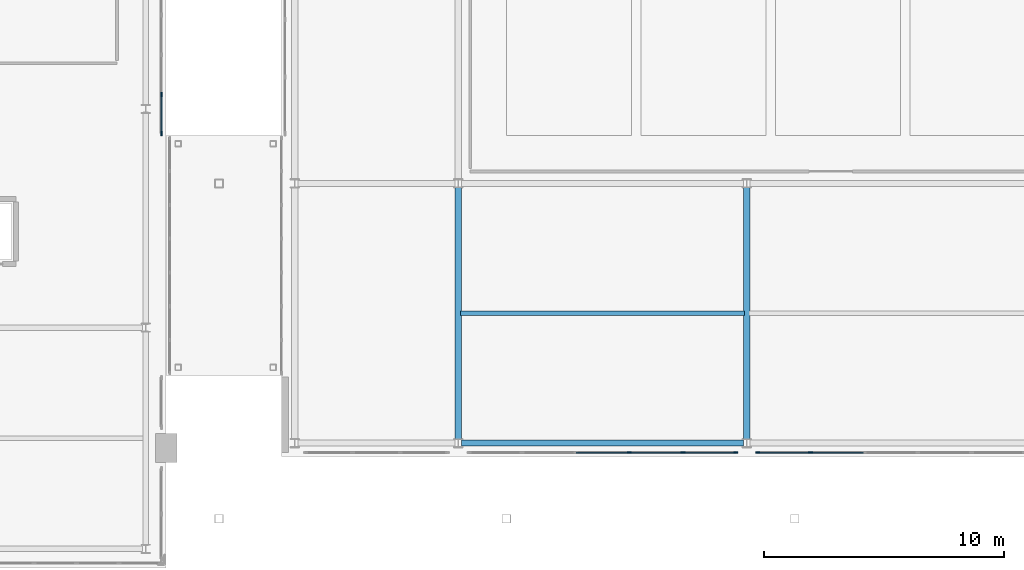
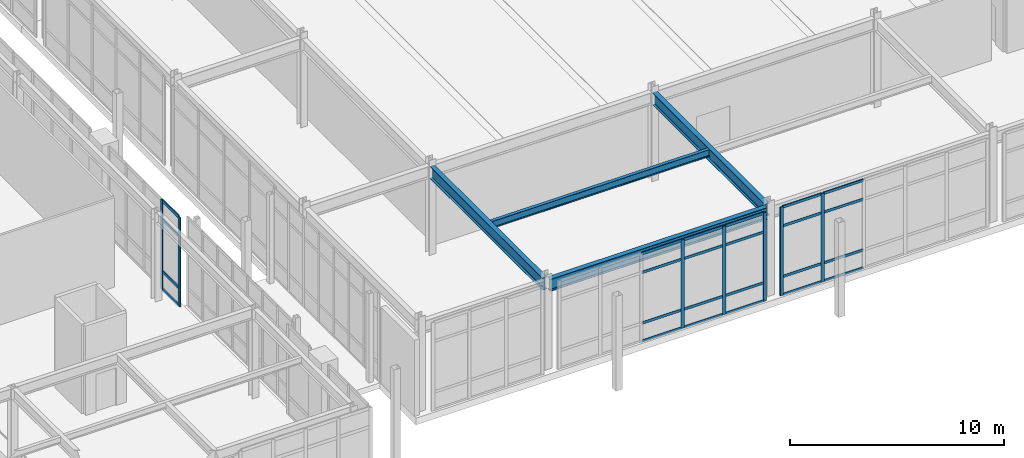
# One storey, part 63 of 159: 31 members, 4 beams, 3 elements without a shape of their own.
"""IFC4 building model written with IfcOpenShell, lengths in metres."""

import ifcopenshell
import ifcopenshell.guid

model = None  # the IFC model being written
_history = None  # IfcOwnerHistory: only IFC2X3 demands one
_inside = {}  # id of a spatial element -> (the spatial element, [elements in it])
_under = {}  # id of a project, library or spatial element -> (it, [spatial elements below it])
_declared = {}  # id of a project -> (the project, [libraries it declares])
_typed = {}  # id of a type object -> (the type object, [elements of that type])
_made_of = {}  # id of a material, layer set ... -> (it, [elements and type objects made of it])


def new_model(schema):
    """Start an empty IFC model of exactly this schema.

    Asked for "IFC4X3", IfcOpenShell would pick the latest addendum, in which some entities
    have other attributes; the version numbers below select the first issue.
    IFC2X3 requires an IfcOwnerHistory on every rooted entity: one is made here for all.
    """
    global model, _history
    if schema == "IFC4X3":
        model = ifcopenshell.file(schema_version=(4, 3, 0, 0))
    else:
        model = ifcopenshell.file(schema=schema)
    _inside.clear()
    _under.clear()
    _declared.clear()
    _typed.clear()
    _made_of.clear()
    _history = None
    if model.schema == "IFC2X3":
        org = make("IfcOrganization", Name="unknown")
        user = make(
            "IfcPersonAndOrganization",
            ThePerson=make("IfcPerson", FamilyName="unknown"),
            TheOrganization=org,
        )
        app = make(
            "IfcApplication",
            ApplicationDeveloper=org,
            Version="unknown",
            ApplicationFullName="unknown",
            ApplicationIdentifier="unknown",
        )
        _history = make(
            "IfcOwnerHistory",
            OwningUser=user,
            OwningApplication=app,
            ChangeAction="ADDED",
            CreationDate=0,
        )
    return model


def make(cls, **values):
    """One entity of the class cls with the attributes given. An attribute that is None is left unset."""
    return model.create_entity(
        cls, **{name: value for name, value in values.items() if value is not None}
    )


def rooted(cls, **values):
    """An entity with a GlobalId (a new one), such as an element, a storey or a relation."""
    return make(cls, GlobalId=ifcopenshell.guid.new(), OwnerHistory=_history, **values)


def si_unit(unit_type, name, prefix=None):
    """IfcSIUnit, for example si_unit("LENGTHUNIT", "METRE", prefix="MILLI")."""
    return make("IfcSIUnit", UnitType=unit_type, Prefix=prefix, Name=name)


def derived_unit(unit_type, elements):
    """IfcDerivedUnit: a product of units, each with its exponent."""
    return make(
        "IfcDerivedUnit",
        Elements=[
            make("IfcDerivedUnitElement", Unit=unit, Exponent=power)
            for unit, power in elements
        ],
        UnitType=unit_type,
    )


def assignment(units):
    """IfcUnitAssignment: the units of a project."""
    return None if units is None else make("IfcUnitAssignment", Units=units)


def point(xyz):
    """IfcCartesianPoint."""
    return None if xyz is None else make("IfcCartesianPoint", Coordinates=xyz)


def direction(xyz):
    """IfcDirection."""
    return None if xyz is None else make("IfcDirection", DirectionRatios=xyz)


def frame(location, z_axis=None, x_axis=None):
    """IfcAxis2Placement3D, a coordinate frame: its origin and axes. An axis left out is left unset."""
    return make(
        "IfcAxis2Placement3D",
        Location=point(location),
        Axis=direction(z_axis),
        RefDirection=direction(x_axis),
    )


def frame_2d(location, x_axis=None):
    """IfcAxis2Placement2D, a coordinate frame in the plane: its origin and x axis."""
    return make(
        "IfcAxis2Placement2D", Location=point(location), RefDirection=direction(x_axis)
    )


def origin():
    """The frame at (0, 0, 0) with its axes left unset."""
    return frame((0.0, 0.0, 0.0))


def origin_2d():
    """The frame at (0, 0) in the plane with its x axis left unset."""
    return frame_2d((0.0, 0.0))


def place(relative_to, where):
    """IfcLocalPlacement: puts the frame where relative to a parent placement (None: the world)."""
    return make(
        "IfcLocalPlacement", PlacementRelTo=relative_to, RelativePlacement=where
    )


def context(
    kind, dimensions, precision=None, world=None, true_north=None, identifier=None
):
    """IfcGeometricRepresentationContext, for example the 3D "Model" context."""
    return make(
        "IfcGeometricRepresentationContext",
        ContextIdentifier=identifier,
        ContextType=kind,
        CoordinateSpaceDimension=dimensions,
        Precision=precision,
        WorldCoordinateSystem=world,
        TrueNorth=true_north,
    )


def subcontext(parent, identifier, kind, view, scale=None):
    """IfcGeometricRepresentationSubContext, for example "Body" below "Model"."""
    return make(
        "IfcGeometricRepresentationSubContext",
        ContextIdentifier=identifier,
        ContextType=kind,
        ParentContext=parent,
        TargetScale=scale,
        TargetView=view,
    )


def project(units=None, contexts=None):
    """IfcProject with its units and contexts."""
    return rooted(
        "IfcProject",
        Name="project",
        RepresentationContexts=contexts,
        UnitsInContext=assignment(units),
    )


def spatial(cls, under=None, at=None, **own):
    """A site, building, storey or space (cls), placed at a placement, below another one or the project."""
    s = rooted(cls, ObjectPlacement=at, **own)
    if under is not None:
        _under.setdefault(under.id(), (under, []))[1].append(s)
    return s


def profile(cls, at=None, kind="AREA", **sizes):
    """A parametric profile (cls). Its sizes go by their IFC names, for example OverallWidth=200.0."""
    return make(cls, ProfileType=kind, Position=at, **sizes)


def rectangle(**sizes):
    """IfcRectangleProfileDef."""
    return profile("IfcRectangleProfileDef", **sizes)


def i_section(**sizes):
    """IfcIShapeProfileDef."""
    return profile("IfcIShapeProfileDef", **sizes)


def extrude(swept, where, along, depth):
    """IfcExtrudedAreaSolid: the profile swept, set in the frame where, extruded along a direction by depth."""
    return make(
        "IfcExtrudedAreaSolid",
        SweptArea=swept,
        Position=where,
        ExtrudedDirection=direction(along),
        Depth=depth,
    )


def shape(context_of_items, identifier, shape_type, items):
    """IfcShapeRepresentation: the items that make up one representation, for example the "Body"."""
    return make(
        "IfcShapeRepresentation",
        ContextOfItems=context_of_items,
        RepresentationIdentifier=identifier,
        RepresentationType=shape_type,
        Items=items,
    )


def material(Name=None, Category=None):
    """IfcMaterial."""
    return make("IfcMaterial", Name=Name, Category=Category)


def layer(
    of_material, thickness, ventilated=None, Name=None, Category=None, Priority=None
):
    """IfcMaterialLayer: one layer of a wall or slab, of a material (None: an air gap)."""
    return make(
        "IfcMaterialLayer",
        Material=of_material,
        LayerThickness=thickness,
        IsVentilated=ventilated,
        Name=Name,
        Category=Category,
        Priority=Priority,
    )


def layer_set(layers, Name=None):
    """IfcMaterialLayerSet."""
    return make("IfcMaterialLayerSet", MaterialLayers=layers, LayerSetName=Name)


def material_profile(
    of_material, cross_section, Name=None, Category=None, Priority=None
):
    """IfcMaterialProfile: a cross section and its material."""
    return make(
        "IfcMaterialProfile",
        Name=Name,
        Material=of_material,
        Profile=cross_section,
        Priority=Priority,
        Category=Category,
    )


def profile_set(profiles, Name=None, composite=None):
    """IfcMaterialProfileSet."""
    return make(
        "IfcMaterialProfileSet",
        Name=Name,
        MaterialProfiles=profiles,
        CompositeProfile=composite,
    )


def made_of(thing, what):
    """Note that an element or type object is made of a material, layer set ...; save() writes the relation."""
    if what is not None:
        _made_of.setdefault(what.id(), (what, []))[1].append(thing)
    return thing


def type_object(cls, material=None, **own):
    """A type object (cls), such as IfcWallType, which elements share."""
    return made_of(rooted(cls, **own), material)


def element(
    cls,
    number,
    at=None,
    inside=None,
    cuts=None,
    type_object=None,
    material=None,
    context=None,
    identifier="Body",
    shape_type=None,
    held_by="IfcProductDefinitionShape",
    body=None,
    shapes=None,
    **own,
):
    """One element of the class cls, such as IfcWall. Its Tag is "e" and its number.

    at: its placement. inside: the storey or other place that contains it. cuts: it is an
    opening in that element (IfcRelVoidsElement). A single representation is given by context,
    identifier, shape_type and body (its items); several are given by shapes. held_by: the class
    of the entity that holds the representations. save() writes the other relations.
    """
    e = rooted(cls, Tag="e%d" % number, ObjectPlacement=at, **own)
    if body is not None:
        shapes = [shape(context, identifier, shape_type, body)]
    if shapes is not None:
        e.Representation = make(held_by, Representations=shapes)
    if inside is not None:
        _inside.setdefault(inside.id(), (inside, []))[1].append(e)
    if cuts is not None:
        rooted(
            "IfcRelVoidsElement", RelatingBuildingElement=cuts, RelatedOpeningElement=e
        )
    if type_object is not None:
        _typed.setdefault(type_object.id(), (type_object, []))[1].append(e)
    return made_of(e, material)


def aggregate(whole, parts):
    """IfcRelAggregates: a whole, such as a stair, and the parts it consists of."""
    return rooted("IfcRelAggregates", RelatingObject=whole, RelatedObjects=parts)


def save(model, path):
    """Write the relations noted so far, then the file.

    IfcRelAggregates (storeys below a building ...), IfcRelContainedInSpatialStructure (elements
    in a storey), IfcRelDefinesByType, IfcRelAssociatesMaterial and IfcRelDeclares: one each for
    every whole, place, type object, material and project.
    """
    for whole, parts in _under.values():
        aggregate(whole, parts)
    for where, things in _inside.values():
        rooted(
            "IfcRelContainedInSpatialStructure",
            RelatedElements=things,
            RelatingStructure=where,
        )
    for kind, things in _typed.values():
        rooted("IfcRelDefinesByType", RelatedObjects=things, RelatingType=kind)
    for what, things in _made_of.values():
        rooted("IfcRelAssociatesMaterial", RelatedObjects=things, RelatingMaterial=what)
    for by, libraries in _declared.values():
        rooted("IfcRelDeclares", RelatingContext=by, RelatedDefinitions=libraries)
    model.write(path)


model = new_model("IFC4")

# Units and contexts
model_context = context("Model", 3, precision=1e-05, world=origin(), true_north=direction((0.0, 1.0)))
body_context = subcontext(model_context, "Body", "Model", "MODEL_VIEW")
ifc_project = project(units=[si_unit("LENGTHUNIT", "METRE"), si_unit("AREAUNIT", "SQUARE_METRE"), si_unit("VOLUMEUNIT", "CUBIC_METRE"), si_unit("PLANEANGLEUNIT", "RADIAN"), si_unit("MASSUNIT", "GRAM", prefix="KILO"), derived_unit("THERMALTRANSMITTANCEUNIT", [(si_unit("MASSUNIT", "GRAM", prefix="KILO"), 1), (si_unit("TIMEUNIT", "SECOND"), -3), (si_unit("THERMODYNAMICTEMPERATUREUNIT", "KELVIN"), -1)])], contexts=[model_context])

# Site, building, storey
site_placement = place(None, origin())
site = spatial("IfcSite", under=ifc_project, at=site_placement, CompositionType="ELEMENT")
building_placement = place(site_placement, origin())
building = spatial("IfcBuilding", under=site, at=building_placement, Name="Valcora Ridge Arena", CompositionType="ELEMENT")
storey_placement = place(building_placement, frame((0.0, 0.0, 6.0)))
storey = spatial("IfcBuildingStorey", under=building, at=storey_placement, Name="L01", CompositionType="ELEMENT", Elevation=6.0)

# Beams
ifc_material_1 = material(Name="Steel ASTM A572 Grade 50", Category="steel")
ifc_material_profile_1 = material_profile(ifc_material_1, i_section(OverallWidth=0.256103515625, OverallDepth=0.693115234375, WebThickness=0.014404296875, FlangeThickness=0.023681640625, FilletRadius=0.02001953125, at=origin_2d()), Name="W27X114")
ifc_profile_set_1 = profile_set([ifc_material_profile_1], Name="Steel ASTM A572 Grade 50")
beam_type_1 = type_object("IfcBeamType", Name="TY-BEAM-G-W27X114-Y", PredefinedType="BEAM", material=ifc_profile_set_1)
for number, where, z_axis, x_axis, name in (
    (1, (144.0, 5.340087890625, 4.693603515625), (0.0, 1.0, 0.0), (-1.0, 0.0, 0.0), "G-W27X114-Y BEM-G-W27X114-Y-0040"),
    (2, (156.0, 5.340087890625, 4.693603515625), (0.0, 1.0, 0.0), (-1.0, 0.0, 0.0), "G-W27X114-Y BEM-G-W27X114-Y-0046"),
):
    element("IfcBeam", number, at=place(storey_placement, frame(where, z_axis=z_axis, x_axis=x_axis)), inside=storey, type_object=beam_type_1, Name=name, PredefinedType="BEAM", context=body_context, shape_type="SweptSolid", body=[
        extrude(i_section(OverallWidth=0.256103515625, OverallDepth=0.693115234375, WebThickness=0.014404296875, FlangeThickness=0.023681640625, FilletRadius=0.02001953125, at=origin_2d()), origin(), (0.0, 0.0, 1.0), 10.52001953125),
    ])
ifc_material_profile_2 = material_profile(ifc_material_1, i_section(OverallWidth=0.177978515625, OverallDepth=0.406005859375, WebThickness=0.0078125, FlangeThickness=0.0126953125, FilletRadius=0.013916015625, at=origin_2d()), Name="W16X40")
ifc_profile_set_2 = profile_set([ifc_material_profile_2], Name="Steel ASTM A572 Grade 50")
beam_type_2 = type_object("IfcBeamType", Name="TY-BEAM-J-W16X40", PredefinedType="JOIST", material=ifc_profile_set_2)
beam_1_placement = place(storey_placement, frame((144.10009765625, 10.60009765625, 4.8369140625), z_axis=(1.0, 0.0, 0.0), x_axis=(0.0, 1.0, 0.0)))
element("IfcBeam", 3, at=beam_1_placement, inside=storey, type_object=beam_type_2, Name="J-W16X40 BEM-J-W16X40-0013", PredefinedType="JOIST", context=body_context, shape_type="SweptSolid", body=[
    extrude(i_section(OverallWidth=0.177978515625, OverallDepth=0.406005859375, WebThickness=0.0078125, FlangeThickness=0.0126953125, FilletRadius=0.013916015625, at=origin_2d()), origin(), (0.0, 0.0, 1.0), 11.7998046875),
])
ifc_material_profile_3 = material_profile(ifc_material_1, i_section(OverallWidth=0.256103515625, OverallDepth=0.693115234375, WebThickness=0.014404296875, FlangeThickness=0.023681640625, FilletRadius=0.02001953125, at=origin_2d()), Name="W27X114")
ifc_profile_set_3 = profile_set([ifc_material_profile_3], Name="Steel ASTM A572 Grade 50")
beam_type_3 = type_object("IfcBeamType", Name="TY-BEAM-SP-W27X114", PredefinedType="SPANDREL", material=ifc_profile_set_3)
beam_2_placement = place(storey_placement, frame((144.139892578125, 5.199951171875, 4.693603515625), z_axis=(1.0, 0.0, 0.0), x_axis=(0.0, 1.0, 0.0)))
element("IfcBeam", 4, at=beam_2_placement, inside=storey, type_object=beam_type_3, Name="SP-W27X114 BEM-SP-W27X114-0012", PredefinedType="SPANDREL", context=body_context, shape_type="SweptSolid", body=[
    extrude(i_section(OverallWidth=0.256103515625, OverallDepth=0.693115234375, WebThickness=0.014404296875, FlangeThickness=0.023681640625, FilletRadius=0.02001953125, at=origin_2d()), origin(), (0.0, 0.0, 1.0), 11.72021484375),
])

# Curtain wall, members
ifc_material_2 = material(Name="Anodised dark bronze architectural aluminium 6063-T6", Category="aluminium")
ifc_layer_1 = layer(ifc_material_2, 0.179931640625, Name="Anodised dark bronze architectural aluminium 6063-T6")
ifc_layer_set_1 = layer_set([ifc_layer_1], Name="Anodised dark bronze architectural aluminium 6063-T6")
curtain_wall_type_1 = type_object("IfcCurtainWallType", Name="TY-CURTAINWALL-CW-V3-LANCET-066X51", PredefinedType="NOTDEFINED", material=ifc_layer_set_1)
curtain_wall_1_placement = place(storey_placement, origin())
curtain_wall_1 = element("IfcCurtainWall", 5, at=curtain_wall_1_placement, inside=storey, type_object=curtain_wall_type_1, Name="CW-V3-LANCET-066X51 CW-0014", PredefinedType="NOTDEFINED")
ifc_material_profile_4 = material_profile(ifc_material_2, rectangle(XDim=0.06005859375, YDim=0.179931640625, at=origin_2d()), Name="ALU MULLION 60x180")
ifc_profile_set_4 = profile_set([ifc_material_profile_4], Name="Anodised dark bronze architectural aluminium 6063-T6")
member_type_1 = type_object("IfcMemberType", Name="TY-MEM-CWM-60x180", PredefinedType="MULLION", material=ifc_profile_set_4)
member_1_placement = place(storey_placement, frame((131.64990234375, 18.080078125, 0.0), z_axis=(0.0, 0.0, 1.0), x_axis=(-1.0, 0.0, 0.0)))
member_1 = element("IfcMember", 6, at=member_1_placement, type_object=member_type_1, Name="CW-0014/CWM-60x180/M00", PredefinedType="MULLION", context=body_context, shape_type="SweptSolid", body=[
    extrude(rectangle(XDim=0.06005859375, YDim=0.179931640625, at=origin_2d()), origin(), (0.0, 0.0, 1.0), 5.10009765625),
])
member_2_placement = place(storey_placement, frame((131.64990234375, 19.702392578125, 0.0), z_axis=(0.0, 0.0, 1.0), x_axis=(-1.0, 0.0, 0.0)))
member_2 = element("IfcMember", 7, at=member_2_placement, type_object=member_type_1, Name="CW-0014/CWM-60x180/M01", PredefinedType="MULLION", context=body_context, shape_type="SweptSolid", body=[
    extrude(rectangle(XDim=0.06005859375, YDim=0.179931640625, at=origin_2d()), origin(), (0.0, 0.0, 1.0), 5.10009765625),
])

ifc_layer_2 = layer(ifc_material_2, 0.179931640625, Name="Anodised dark bronze architectural aluminium 6063-T6")
ifc_layer_set_2 = layer_set([ifc_layer_2], Name="Anodised dark bronze architectural aluminium 6063-T6")
curtain_wall_type_2 = type_object("IfcCurtainWallType", Name="TY-CURTAINWALL-CW-V2-GLAZ-111X50", PredefinedType="NOTDEFINED", material=ifc_layer_set_2)
curtain_wall_2_placement = place(storey_placement, origin())
curtain_wall_2 = element("IfcCurtainWall", 8, at=curtain_wall_2_placement, inside=storey, type_object=curtain_wall_type_2, Name="CW-V2-GLAZ-111X50 CW-0045", PredefinedType="NOTDEFINED")
member_3_placement = place(storey_placement, frame((151.114501953125, 4.800048828125, 0.0), z_axis=(0.0, 0.0, 1.0), x_axis=(0.0, 1.0, 0.0)))
member_3 = element("IfcMember", 9, at=member_3_placement, type_object=member_type_1, Name="CW-0045/CWM-60x180/M03", PredefinedType="MULLION", context=body_context, shape_type="SweptSolid", body=[
    extrude(rectangle(XDim=0.06005859375, YDim=0.179931640625, at=origin_2d()), origin(), (0.0, 0.0, 1.0), 5.0400390625),
])
member_4_placement = place(storey_placement, frame((153.34375, 4.800048828125, 0.0), z_axis=(0.0, 0.0, 1.0), x_axis=(0.0, 1.0, 0.0)))
member_4 = element("IfcMember", 10, at=member_4_placement, type_object=member_type_1, Name="CW-0045/CWM-60x180/M04", PredefinedType="MULLION", context=body_context, shape_type="SweptSolid", body=[
    extrude(rectangle(XDim=0.06005859375, YDim=0.179931640625, at=origin_2d()), origin(), (0.0, 0.0, 1.0), 5.0400390625),
])
member_5_placement = place(storey_placement, frame((155.54296875, 4.800048828125, 0.0), z_axis=(0.0, 0.0, 1.0), x_axis=(0.0, 1.0, 0.0)))
member_5 = element("IfcMember", 11, at=member_5_placement, type_object=member_type_1, Name="CW-0045/CWM-60x180/M05", PredefinedType="MULLION", context=body_context, shape_type="SweptSolid", body=[
    extrude(rectangle(XDim=0.06005859375, YDim=0.179931640625, at=origin_2d()), origin(), (0.0, 0.0, 1.0), 5.0400390625),
])

curtain_wall_3_placement = place(storey_placement, origin())
curtain_wall_3 = element("IfcCurtainWall", 12, at=curtain_wall_3_placement, inside=storey, type_object=curtain_wall_type_2, Name="CW-V2-GLAZ-111X50 CW-0046", PredefinedType="NOTDEFINED")
member_6_placement = place(storey_placement, frame((156.45703125, 4.800048828125, 0.0), z_axis=(0.0, 0.0, 1.0), x_axis=(0.0, 1.0, 0.0)))
member_6 = element("IfcMember", 13, at=member_6_placement, type_object=member_type_1, Name="CW-0046/CWM-60x180/M00", PredefinedType="MULLION", context=body_context, shape_type="SweptSolid", body=[
    extrude(rectangle(XDim=0.06005859375, YDim=0.179931640625, at=origin_2d()), origin(), (0.0, 0.0, 1.0), 5.0400390625),
])
member_7_placement = place(storey_placement, frame((158.65625, 4.800048828125, 0.0), z_axis=(0.0, 0.0, 1.0), x_axis=(0.0, 1.0, 0.0)))
member_7 = element("IfcMember", 14, at=member_7_placement, type_object=member_type_1, Name="CW-0046/CWM-60x180/M01", PredefinedType="MULLION", context=body_context, shape_type="SweptSolid", body=[
    extrude(rectangle(XDim=0.06005859375, YDim=0.179931640625, at=origin_2d()), origin(), (0.0, 0.0, 1.0), 5.0400390625),
])

# Member
ifc_material_profile_5 = material_profile(ifc_material_2, rectangle(XDim=0.050048828125, YDim=0.14990234375, at=origin_2d()), Name="ALU TRANSOM 50x150")
ifc_profile_set_5 = profile_set([ifc_material_profile_5], Name="Anodised dark bronze architectural aluminium 6063-T6")
member_type_2 = type_object("IfcMemberType", Name="TY-MEM-CWT-50x150", PredefinedType="USERDEFINED", material=ifc_profile_set_5)
member_8_placement = place(storey_placement, frame((148.9150390625, 4.800048828125, 0.02490234375), z_axis=(1.0, 0.0, 0.0), x_axis=(0.0, 1.0, 0.0)))
member_8 = element("IfcMember", 15, at=member_8_placement, type_object=member_type_2, Name="CW-0045/CWT-50x150/T02-00", ObjectType="TRANSOM", PredefinedType="USERDEFINED", context=body_context, shape_type="SweptSolid", body=[
    extrude(rectangle(XDim=0.050048828125, YDim=0.14990234375, at=origin_2d()), origin(), (0.0, 0.0, 1.0), 2.169921875),
])

member_9_placement = place(storey_placement, frame((148.9150390625, 4.800048828125, 1.050048828125), z_axis=(1.0, 0.0, 0.0), x_axis=(0.0, 1.0, 0.0)))
member_9 = element("IfcMember", 16, at=member_9_placement, type_object=member_type_2, Name="CW-0045/CWT-50x150/T02-01", ObjectType="TRANSOM", PredefinedType="USERDEFINED", context=body_context, shape_type="SweptSolid", body=[
    extrude(rectangle(XDim=0.050048828125, YDim=0.14990234375, at=origin_2d()), origin(), (0.0, 0.0, 1.0), 2.169921875),
])

member_10_placement = place(storey_placement, frame((148.9150390625, 4.800048828125, 3.93994140625), z_axis=(1.0, 0.0, 0.0), x_axis=(0.0, 1.0, 0.0)))
member_10 = element("IfcMember", 17, at=member_10_placement, type_object=member_type_2, Name="CW-0045/CWT-50x150/T02-02", ObjectType="TRANSOM", PredefinedType="USERDEFINED", context=body_context, shape_type="SweptSolid", body=[
    extrude(rectangle(XDim=0.050048828125, YDim=0.14990234375, at=origin_2d()), origin(), (0.0, 0.0, 1.0), 2.169921875),
])

member_11_placement = place(storey_placement, frame((148.9150390625, 4.800048828125, 5.014892578125), z_axis=(1.0, 0.0, 0.0), x_axis=(0.0, 1.0, 0.0)))
member_11 = element("IfcMember", 18, at=member_11_placement, type_object=member_type_2, Name="CW-0045/CWT-50x150/T02-03", ObjectType="TRANSOM", PredefinedType="USERDEFINED", context=body_context, shape_type="SweptSolid", body=[
    extrude(rectangle(XDim=0.050048828125, YDim=0.14990234375, at=origin_2d()), origin(), (0.0, 0.0, 1.0), 2.169921875),
])

member_12_placement = place(storey_placement, frame((151.14501953125, 4.800048828125, 0.02490234375), z_axis=(1.0, 0.0, 0.0), x_axis=(0.0, 1.0, 0.0)))
member_12 = element("IfcMember", 19, at=member_12_placement, type_object=member_type_2, Name="CW-0045/CWT-50x150/T03-00", ObjectType="TRANSOM", PredefinedType="USERDEFINED", context=body_context, shape_type="SweptSolid", body=[
    extrude(rectangle(XDim=0.050048828125, YDim=0.14990234375, at=origin_2d()), origin(), (0.0, 0.0, 1.0), 2.1689453125),
])

member_13_placement = place(storey_placement, frame((151.14501953125, 4.800048828125, 1.050048828125), z_axis=(1.0, 0.0, 0.0), x_axis=(0.0, 1.0, 0.0)))
member_13 = element("IfcMember", 20, at=member_13_placement, type_object=member_type_2, Name="CW-0045/CWT-50x150/T03-01", ObjectType="TRANSOM", PredefinedType="USERDEFINED", context=body_context, shape_type="SweptSolid", body=[
    extrude(rectangle(XDim=0.050048828125, YDim=0.14990234375, at=origin_2d()), origin(), (0.0, 0.0, 1.0), 2.1689453125),
])

member_14_placement = place(storey_placement, frame((151.14501953125, 4.800048828125, 3.93994140625), z_axis=(1.0, 0.0, 0.0), x_axis=(0.0, 1.0, 0.0)))
member_14 = element("IfcMember", 21, at=member_14_placement, type_object=member_type_2, Name="CW-0045/CWT-50x150/T03-02", ObjectType="TRANSOM", PredefinedType="USERDEFINED", context=body_context, shape_type="SweptSolid", body=[
    extrude(rectangle(XDim=0.050048828125, YDim=0.14990234375, at=origin_2d()), origin(), (0.0, 0.0, 1.0), 2.1689453125),
])

member_15_placement = place(storey_placement, frame((151.14501953125, 4.800048828125, 5.014892578125), z_axis=(1.0, 0.0, 0.0), x_axis=(0.0, 1.0, 0.0)))
member_15 = element("IfcMember", 22, at=member_15_placement, type_object=member_type_2, Name="CW-0045/CWT-50x150/T03-03", ObjectType="TRANSOM", PredefinedType="USERDEFINED", context=body_context, shape_type="SweptSolid", body=[
    extrude(rectangle(XDim=0.050048828125, YDim=0.14990234375, at=origin_2d()), origin(), (0.0, 0.0, 1.0), 2.1689453125),
])

member_16_placement = place(storey_placement, frame((153.3740234375, 4.800048828125, 0.02490234375), z_axis=(1.0, 0.0, 0.0), x_axis=(0.0, 1.0, 0.0)))
member_16 = element("IfcMember", 23, at=member_16_placement, type_object=member_type_2, Name="CW-0045/CWT-50x150/T04-00", ObjectType="TRANSOM", PredefinedType="USERDEFINED", context=body_context, shape_type="SweptSolid", body=[
    extrude(rectangle(XDim=0.050048828125, YDim=0.14990234375, at=origin_2d()), origin(), (0.0, 0.0, 1.0), 2.138916015625),
])

member_17_placement = place(storey_placement, frame((153.3740234375, 4.800048828125, 1.050048828125), z_axis=(1.0, 0.0, 0.0), x_axis=(0.0, 1.0, 0.0)))
member_17 = element("IfcMember", 24, at=member_17_placement, type_object=member_type_2, Name="CW-0045/CWT-50x150/T04-01", ObjectType="TRANSOM", PredefinedType="USERDEFINED", context=body_context, shape_type="SweptSolid", body=[
    extrude(rectangle(XDim=0.050048828125, YDim=0.14990234375, at=origin_2d()), origin(), (0.0, 0.0, 1.0), 2.138916015625),
])

member_18_placement = place(storey_placement, frame((153.3740234375, 4.800048828125, 3.93994140625), z_axis=(1.0, 0.0, 0.0), x_axis=(0.0, 1.0, 0.0)))
member_18 = element("IfcMember", 25, at=member_18_placement, type_object=member_type_2, Name="CW-0045/CWT-50x150/T04-02", ObjectType="TRANSOM", PredefinedType="USERDEFINED", context=body_context, shape_type="SweptSolid", body=[
    extrude(rectangle(XDim=0.050048828125, YDim=0.14990234375, at=origin_2d()), origin(), (0.0, 0.0, 1.0), 2.138916015625),
])

member_19_placement = place(storey_placement, frame((153.3740234375, 4.800048828125, 5.014892578125), z_axis=(1.0, 0.0, 0.0), x_axis=(0.0, 1.0, 0.0)))
member_19 = element("IfcMember", 26, at=member_19_placement, type_object=member_type_2, Name="CW-0045/CWT-50x150/T04-03", ObjectType="TRANSOM", PredefinedType="USERDEFINED", context=body_context, shape_type="SweptSolid", body=[
    extrude(rectangle(XDim=0.050048828125, YDim=0.14990234375, at=origin_2d()), origin(), (0.0, 0.0, 1.0), 2.138916015625),
])

aggregate(curtain_wall_2, [member_3, member_4, member_5, member_8, member_9, member_10, member_11, member_12, member_13, member_14, member_15, member_16, member_17, member_18, member_19])

member_20_placement = place(storey_placement, frame((156.487060546875, 4.800048828125, 0.02490234375), z_axis=(1.0, 0.0, 0.0), x_axis=(0.0, 1.0, 0.0)))
member_20 = element("IfcMember", 27, at=member_20_placement, type_object=member_type_2, Name="CW-0046/CWT-50x150/T00-00", ObjectType="TRANSOM", PredefinedType="USERDEFINED", context=body_context, shape_type="SweptSolid", body=[
    extrude(rectangle(XDim=0.050048828125, YDim=0.14990234375, at=origin_2d()), origin(), (0.0, 0.0, 1.0), 2.138916015625),
])

member_21_placement = place(storey_placement, frame((156.487060546875, 4.800048828125, 1.050048828125), z_axis=(1.0, 0.0, 0.0), x_axis=(0.0, 1.0, 0.0)))
member_21 = element("IfcMember", 28, at=member_21_placement, type_object=member_type_2, Name="CW-0046/CWT-50x150/T00-01", ObjectType="TRANSOM", PredefinedType="USERDEFINED", context=body_context, shape_type="SweptSolid", body=[
    extrude(rectangle(XDim=0.050048828125, YDim=0.14990234375, at=origin_2d()), origin(), (0.0, 0.0, 1.0), 2.138916015625),
])

member_22_placement = place(storey_placement, frame((156.487060546875, 4.800048828125, 3.93994140625), z_axis=(1.0, 0.0, 0.0), x_axis=(0.0, 1.0, 0.0)))
member_22 = element("IfcMember", 29, at=member_22_placement, type_object=member_type_2, Name="CW-0046/CWT-50x150/T00-02", ObjectType="TRANSOM", PredefinedType="USERDEFINED", context=body_context, shape_type="SweptSolid", body=[
    extrude(rectangle(XDim=0.050048828125, YDim=0.14990234375, at=origin_2d()), origin(), (0.0, 0.0, 1.0), 2.138916015625),
])

member_23_placement = place(storey_placement, frame((156.487060546875, 4.800048828125, 5.014892578125), z_axis=(1.0, 0.0, 0.0), x_axis=(0.0, 1.0, 0.0)))
member_23 = element("IfcMember", 30, at=member_23_placement, type_object=member_type_2, Name="CW-0046/CWT-50x150/T00-03", ObjectType="TRANSOM", PredefinedType="USERDEFINED", context=body_context, shape_type="SweptSolid", body=[
    extrude(rectangle(XDim=0.050048828125, YDim=0.14990234375, at=origin_2d()), origin(), (0.0, 0.0, 1.0), 2.138916015625),
])

member_24_placement = place(storey_placement, frame((158.68603515625, 4.800048828125, 0.02490234375), z_axis=(1.0, 0.0, 0.0), x_axis=(0.0, 1.0, 0.0)))
member_24 = element("IfcMember", 31, at=member_24_placement, type_object=member_type_2, Name="CW-0046/CWT-50x150/T01-00", ObjectType="TRANSOM", PredefinedType="USERDEFINED", context=body_context, shape_type="SweptSolid", body=[
    extrude(rectangle(XDim=0.050048828125, YDim=0.14990234375, at=origin_2d()), origin(), (0.0, 0.0, 1.0), 2.1689453125),
])

member_25_placement = place(storey_placement, frame((158.68603515625, 4.800048828125, 1.050048828125), z_axis=(1.0, 0.0, 0.0), x_axis=(0.0, 1.0, 0.0)))
member_25 = element("IfcMember", 32, at=member_25_placement, type_object=member_type_2, Name="CW-0046/CWT-50x150/T01-01", ObjectType="TRANSOM", PredefinedType="USERDEFINED", context=body_context, shape_type="SweptSolid", body=[
    extrude(rectangle(XDim=0.050048828125, YDim=0.14990234375, at=origin_2d()), origin(), (0.0, 0.0, 1.0), 2.1689453125),
])

member_26_placement = place(storey_placement, frame((158.68603515625, 4.800048828125, 3.93994140625), z_axis=(1.0, 0.0, 0.0), x_axis=(0.0, 1.0, 0.0)))
member_26 = element("IfcMember", 33, at=member_26_placement, type_object=member_type_2, Name="CW-0046/CWT-50x150/T01-02", ObjectType="TRANSOM", PredefinedType="USERDEFINED", context=body_context, shape_type="SweptSolid", body=[
    extrude(rectangle(XDim=0.050048828125, YDim=0.14990234375, at=origin_2d()), origin(), (0.0, 0.0, 1.0), 2.1689453125),
])

member_27_placement = place(storey_placement, frame((158.68603515625, 4.800048828125, 5.014892578125), z_axis=(1.0, 0.0, 0.0), x_axis=(0.0, 1.0, 0.0)))
member_27 = element("IfcMember", 34, at=member_27_placement, type_object=member_type_2, Name="CW-0046/CWT-50x150/T01-03", ObjectType="TRANSOM", PredefinedType="USERDEFINED", context=body_context, shape_type="SweptSolid", body=[
    extrude(rectangle(XDim=0.050048828125, YDim=0.14990234375, at=origin_2d()), origin(), (0.0, 0.0, 1.0), 2.1689453125),
])

aggregate(curtain_wall_3, [member_6, member_7, member_20, member_21, member_22, member_23, member_24, member_25, member_26, member_27])

ifc_material_profile_6 = material_profile(ifc_material_2, rectangle(XDim=0.06005859375, YDim=0.179931640625, at=origin_2d()), Name="ALU TRANSOM 60x180")
ifc_profile_set_6 = profile_set([ifc_material_profile_6], Name="Anodised dark bronze architectural aluminium 6063-T6")
member_type_3 = type_object("IfcMemberType", Name="TY-MEM-CWT-60x180", PredefinedType="USERDEFINED", material=ifc_profile_set_6)
member_28_placement = place(storey_placement, frame((131.64990234375, 18.110107421875, 0.030029296875), z_axis=(0.0, 1.0, 0.0), x_axis=(-1.0, 0.0, 0.0)))
member_28 = element("IfcMember", 35, at=member_28_placement, type_object=member_type_3, Name="CW-0014/CWT-60x180/T00-00", ObjectType="TRANSOM", PredefinedType="USERDEFINED", context=body_context, shape_type="SweptSolid", body=[
    extrude(rectangle(XDim=0.06005859375, YDim=0.179931640625, at=origin_2d()), origin(), (0.0, 0.0, 1.0), 1.56298828125),
])

member_29_placement = place(storey_placement, frame((131.64990234375, 18.110107421875, 1.050048828125), z_axis=(0.0, 1.0, 0.0), x_axis=(-1.0, 0.0, 0.0)))
member_29 = element("IfcMember", 36, at=member_29_placement, type_object=member_type_3, Name="CW-0014/CWT-60x180/T00-01", ObjectType="TRANSOM", PredefinedType="USERDEFINED", context=body_context, shape_type="SweptSolid", body=[
    extrude(rectangle(XDim=0.06005859375, YDim=0.179931640625, at=origin_2d()), origin(), (0.0, 0.0, 1.0), 1.56298828125),
])

member_30_placement = place(storey_placement, frame((131.64990234375, 18.110107421875, 4.0), z_axis=(0.0, 1.0, 0.0), x_axis=(-1.0, 0.0, 0.0)))
member_30 = element("IfcMember", 37, at=member_30_placement, type_object=member_type_3, Name="CW-0014/CWT-60x180/T00-02", ObjectType="TRANSOM", PredefinedType="USERDEFINED", context=body_context, shape_type="SweptSolid", body=[
    extrude(rectangle(XDim=0.06005859375, YDim=0.179931640625, at=origin_2d()), origin(), (0.0, 0.0, 1.0), 1.56298828125),
])

member_31_placement = place(storey_placement, frame((131.64990234375, 18.110107421875, 5.070068359375), z_axis=(0.0, 1.0, 0.0), x_axis=(-1.0, 0.0, 0.0)))
member_31 = element("IfcMember", 38, at=member_31_placement, type_object=member_type_3, Name="CW-0014/CWT-60x180/T00-03", ObjectType="TRANSOM", PredefinedType="USERDEFINED", context=body_context, shape_type="SweptSolid", body=[
    extrude(rectangle(XDim=0.06005859375, YDim=0.179931640625, at=origin_2d()), origin(), (0.0, 0.0, 1.0), 1.56298828125),
])

aggregate(curtain_wall_1, [member_1, member_2, member_28, member_29, member_30, member_31])

save(model, "model.ifc")
